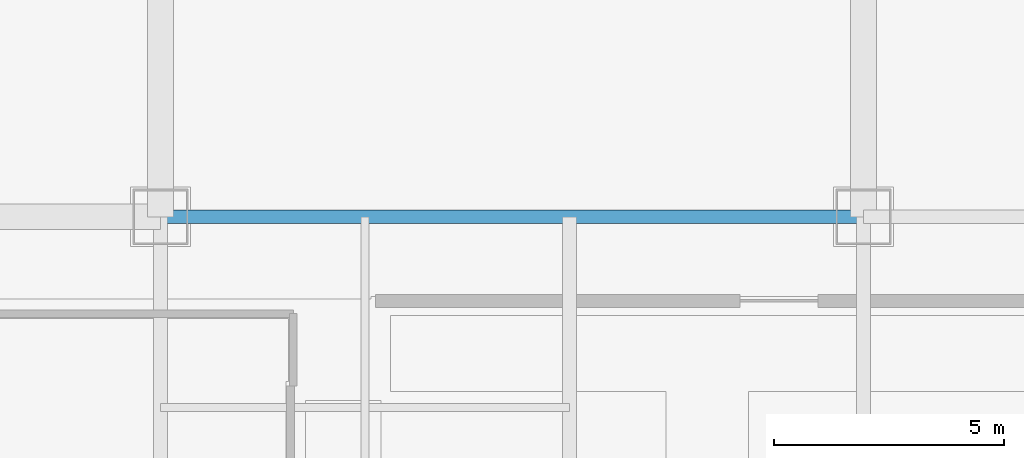
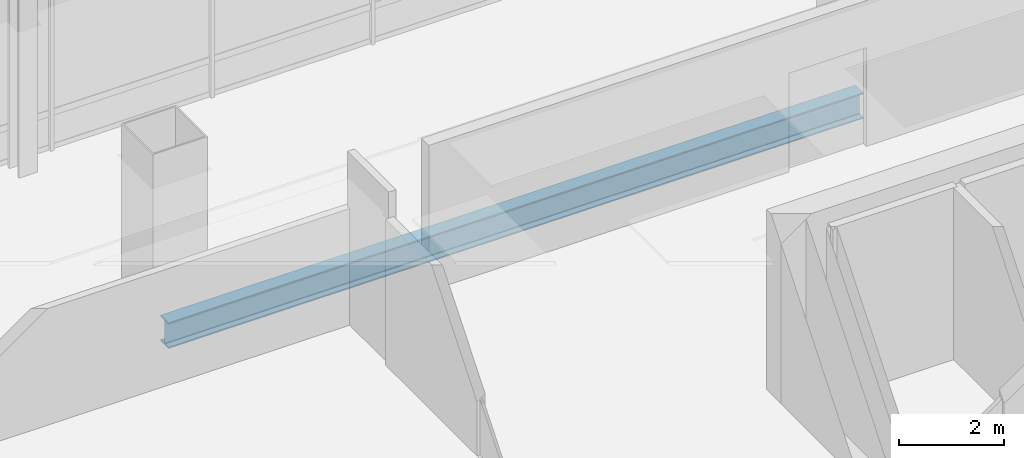
# One storey, part 22 of 42: 1 beam.
"""IFC4 building model written with IfcOpenShell, lengths in metres."""

from ifc_helpers import new_model, si_unit, direction, frame, origin, origin_2d, place, context, subcontext, project, spatial, i_section, extrude, material, material_profile, profile_set, type_object, element, save


model = new_model("IFC4")

# Units and contexts
model_context = context("Model", 3, precision=1e-05, world=origin(), true_north=direction((0.0, 1.0)))
body_context = subcontext(model_context, "Body", "Model", "MODEL_VIEW")
ifc_project = project(units=[si_unit("LENGTHUNIT", "METRE"), si_unit("AREAUNIT", "SQUARE_METRE"), si_unit("VOLUMEUNIT", "CUBIC_METRE"), si_unit("PLANEANGLEUNIT", "RADIAN"), si_unit("MASSUNIT", "GRAM", prefix="KILO")], contexts=[model_context])

# Site, building, storey
site_placement = place(None, origin())
site = spatial("IfcSite", under=ifc_project, at=site_placement, CompositionType="ELEMENT")
building_placement = place(site_placement, origin())
building = spatial("IfcBuilding", under=site, at=building_placement, Name="Punatoya Terracotta Tower", CompositionType="ELEMENT")
storey_placement = place(building_placement, frame((0.0, 0.0, 304.800048828125)))
storey = spatial("IfcBuildingStorey", under=building, at=storey_placement, Name="L72", CompositionType="ELEMENT", Elevation=304.800048828125)

# Beam
ifc_material = material(Name="Steel S355", Category="steel")
ifc_material_profile = material_profile(ifc_material, i_section(OverallWidth=0.300048828125, OverallDepth=0.60009765625, WebThickness=0.015380859375, FlangeThickness=0.030029296875, FilletRadius=0.01806640625, at=origin_2d()))
ifc_profile_set = profile_set([ifc_material_profile], Name="Steel S355")
beam_type = type_object("IfcBeamType", Name="BM-PRI-600", PredefinedType="BEAM", material=ifc_profile_set)
beam_placement = place(storey_placement, frame((-19.10009765625, 17.5, -0.5), z_axis=(1.0, 0.0, 0.0), x_axis=(0.0, 1.0, 0.0)))
element("IfcBeam", 1, at=beam_placement, inside=storey, type_object=beam_type, Name="BM-L72-RG-N1", PredefinedType="BEAM", context=body_context, shape_type="SweptSolid", body=[
    extrude(i_section(OverallWidth=0.300048828125, OverallDepth=0.60009765625, WebThickness=0.015380859375, FlangeThickness=0.030029296875, FilletRadius=0.01806640625, at=origin_2d()), origin(), (0.0, 0.0, 1.0), 15.300048828125),
])

save(model, "model.ifc")
